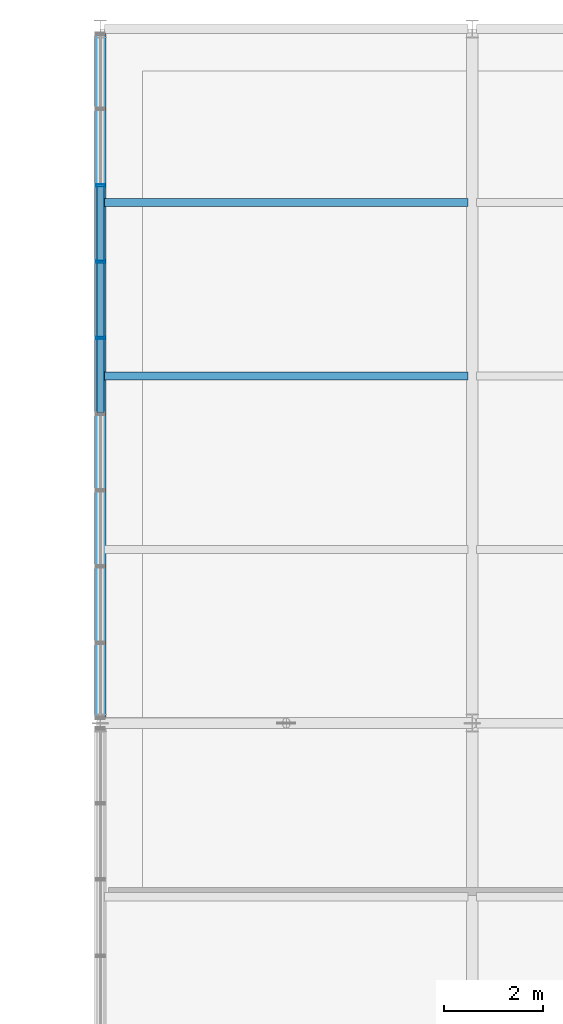
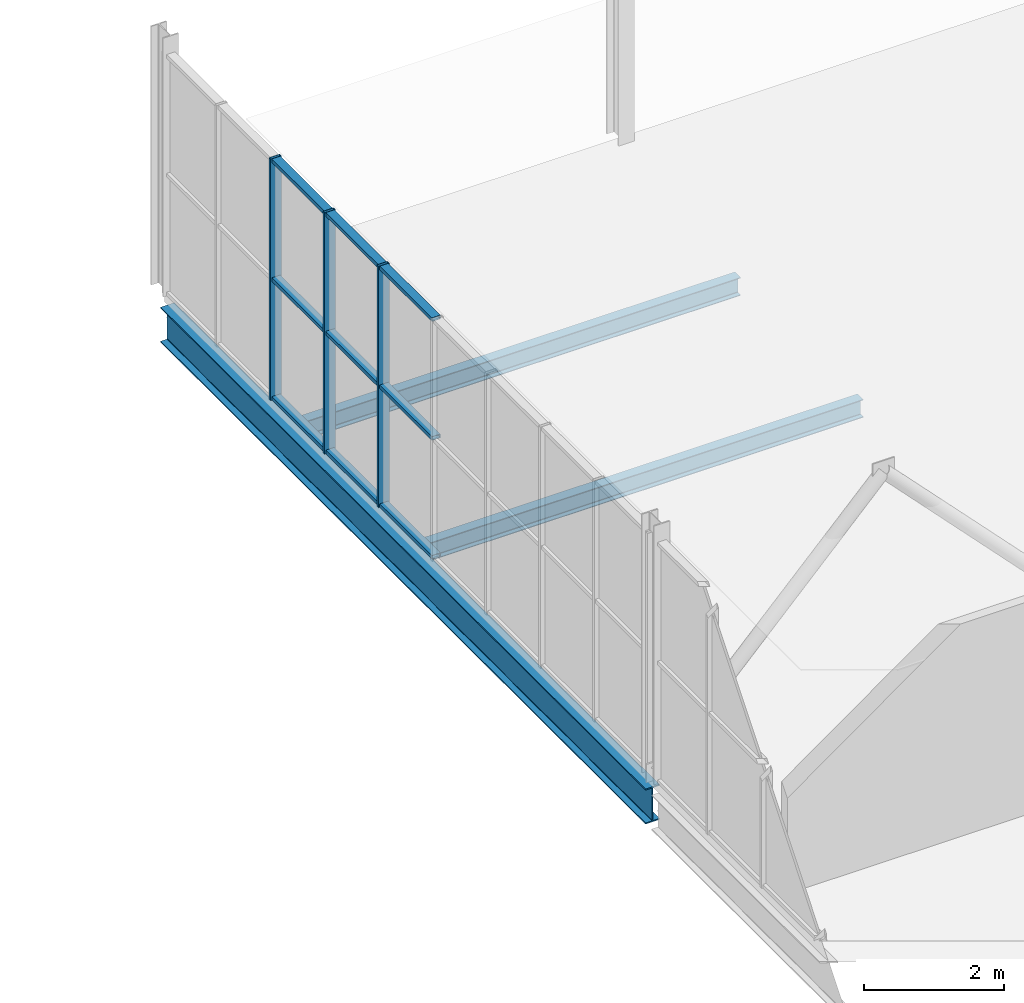
# One storey, part 41 of 104: 12 members, 3 beams, 1 element without a shape of its own.
"""IFC4 building model written with IfcOpenShell, lengths in metres."""

import ifcopenshell
import ifcopenshell.guid

model = None  # the IFC model being written
_history = None  # IfcOwnerHistory: only IFC2X3 demands one
_inside = {}  # id of a spatial element -> (the spatial element, [elements in it])
_under = {}  # id of a project, library or spatial element -> (it, [spatial elements below it])
_declared = {}  # id of a project -> (the project, [libraries it declares])
_typed = {}  # id of a type object -> (the type object, [elements of that type])
_made_of = {}  # id of a material, layer set ... -> (it, [elements and type objects made of it])


def new_model(schema):
    """Start an empty IFC model of exactly this schema.

    Asked for "IFC4X3", IfcOpenShell would pick the latest addendum, in which some entities
    have other attributes; the version numbers below select the first issue.
    IFC2X3 requires an IfcOwnerHistory on every rooted entity: one is made here for all.
    """
    global model, _history
    if schema == "IFC4X3":
        model = ifcopenshell.file(schema_version=(4, 3, 0, 0))
    else:
        model = ifcopenshell.file(schema=schema)
    _inside.clear()
    _under.clear()
    _declared.clear()
    _typed.clear()
    _made_of.clear()
    _history = None
    if model.schema == "IFC2X3":
        org = make("IfcOrganization", Name="unknown")
        user = make(
            "IfcPersonAndOrganization",
            ThePerson=make("IfcPerson", FamilyName="unknown"),
            TheOrganization=org,
        )
        app = make(
            "IfcApplication",
            ApplicationDeveloper=org,
            Version="unknown",
            ApplicationFullName="unknown",
            ApplicationIdentifier="unknown",
        )
        _history = make(
            "IfcOwnerHistory",
            OwningUser=user,
            OwningApplication=app,
            ChangeAction="ADDED",
            CreationDate=0,
        )
    return model


def make(cls, **values):
    """One entity of the class cls with the attributes given. An attribute that is None is left unset."""
    return model.create_entity(
        cls, **{name: value for name, value in values.items() if value is not None}
    )


def rooted(cls, **values):
    """An entity with a GlobalId (a new one), such as an element, a storey or a relation."""
    return make(cls, GlobalId=ifcopenshell.guid.new(), OwnerHistory=_history, **values)


def si_unit(unit_type, name, prefix=None):
    """IfcSIUnit, for example si_unit("LENGTHUNIT", "METRE", prefix="MILLI")."""
    return make("IfcSIUnit", UnitType=unit_type, Prefix=prefix, Name=name)


def assignment(units):
    """IfcUnitAssignment: the units of a project."""
    return None if units is None else make("IfcUnitAssignment", Units=units)


def point(xyz):
    """IfcCartesianPoint."""
    return None if xyz is None else make("IfcCartesianPoint", Coordinates=xyz)


def direction(xyz):
    """IfcDirection."""
    return None if xyz is None else make("IfcDirection", DirectionRatios=xyz)


def frame(location, z_axis=None, x_axis=None):
    """IfcAxis2Placement3D, a coordinate frame: its origin and axes. An axis left out is left unset."""
    return make(
        "IfcAxis2Placement3D",
        Location=point(location),
        Axis=direction(z_axis),
        RefDirection=direction(x_axis),
    )


def frame_2d(location, x_axis=None):
    """IfcAxis2Placement2D, a coordinate frame in the plane: its origin and x axis."""
    return make(
        "IfcAxis2Placement2D", Location=point(location), RefDirection=direction(x_axis)
    )


def origin():
    """The frame at (0, 0, 0) with its axes left unset."""
    return frame((0.0, 0.0, 0.0))


def origin_2d():
    """The frame at (0, 0) in the plane with its x axis left unset."""
    return frame_2d((0.0, 0.0))


def place(relative_to, where):
    """IfcLocalPlacement: puts the frame where relative to a parent placement (None: the world)."""
    return make(
        "IfcLocalPlacement", PlacementRelTo=relative_to, RelativePlacement=where
    )


def context(
    kind, dimensions, precision=None, world=None, true_north=None, identifier=None
):
    """IfcGeometricRepresentationContext, for example the 3D "Model" context."""
    return make(
        "IfcGeometricRepresentationContext",
        ContextIdentifier=identifier,
        ContextType=kind,
        CoordinateSpaceDimension=dimensions,
        Precision=precision,
        WorldCoordinateSystem=world,
        TrueNorth=true_north,
    )


def subcontext(parent, identifier, kind, view, scale=None):
    """IfcGeometricRepresentationSubContext, for example "Body" below "Model"."""
    return make(
        "IfcGeometricRepresentationSubContext",
        ContextIdentifier=identifier,
        ContextType=kind,
        ParentContext=parent,
        TargetScale=scale,
        TargetView=view,
    )


def project(units=None, contexts=None):
    """IfcProject with its units and contexts."""
    return rooted(
        "IfcProject",
        Name="project",
        RepresentationContexts=contexts,
        UnitsInContext=assignment(units),
    )


def spatial(cls, under=None, at=None, **own):
    """A site, building, storey or space (cls), placed at a placement, below another one or the project."""
    s = rooted(cls, ObjectPlacement=at, **own)
    if under is not None:
        _under.setdefault(under.id(), (under, []))[1].append(s)
    return s


def profile(cls, at=None, kind="AREA", **sizes):
    """A parametric profile (cls). Its sizes go by their IFC names, for example OverallWidth=200.0."""
    return make(cls, ProfileType=kind, Position=at, **sizes)


def hollow_rectangle(**sizes):
    """IfcRectangleHollowProfileDef."""
    return profile("IfcRectangleHollowProfileDef", **sizes)


def i_section(**sizes):
    """IfcIShapeProfileDef."""
    return profile("IfcIShapeProfileDef", **sizes)


def extrude(swept, where, along, depth):
    """IfcExtrudedAreaSolid: the profile swept, set in the frame where, extruded along a direction by depth."""
    return make(
        "IfcExtrudedAreaSolid",
        SweptArea=swept,
        Position=where,
        ExtrudedDirection=direction(along),
        Depth=depth,
    )


def shape(context_of_items, identifier, shape_type, items):
    """IfcShapeRepresentation: the items that make up one representation, for example the "Body"."""
    return make(
        "IfcShapeRepresentation",
        ContextOfItems=context_of_items,
        RepresentationIdentifier=identifier,
        RepresentationType=shape_type,
        Items=items,
    )


def material(Name=None, Category=None):
    """IfcMaterial."""
    return make("IfcMaterial", Name=Name, Category=Category)


def layer(
    of_material, thickness, ventilated=None, Name=None, Category=None, Priority=None
):
    """IfcMaterialLayer: one layer of a wall or slab, of a material (None: an air gap)."""
    return make(
        "IfcMaterialLayer",
        Material=of_material,
        LayerThickness=thickness,
        IsVentilated=ventilated,
        Name=Name,
        Category=Category,
        Priority=Priority,
    )


def layer_set(layers, Name=None):
    """IfcMaterialLayerSet."""
    return make("IfcMaterialLayerSet", MaterialLayers=layers, LayerSetName=Name)


def material_profile(
    of_material, cross_section, Name=None, Category=None, Priority=None
):
    """IfcMaterialProfile: a cross section and its material."""
    return make(
        "IfcMaterialProfile",
        Name=Name,
        Material=of_material,
        Profile=cross_section,
        Priority=Priority,
        Category=Category,
    )


def profile_set(profiles, Name=None, composite=None):
    """IfcMaterialProfileSet."""
    return make(
        "IfcMaterialProfileSet",
        Name=Name,
        MaterialProfiles=profiles,
        CompositeProfile=composite,
    )


def made_of(thing, what):
    """Note that an element or type object is made of a material, layer set ...; save() writes the relation."""
    if what is not None:
        _made_of.setdefault(what.id(), (what, []))[1].append(thing)
    return thing


def type_object(cls, material=None, **own):
    """A type object (cls), such as IfcWallType, which elements share."""
    return made_of(rooted(cls, **own), material)


def element(
    cls,
    number,
    at=None,
    inside=None,
    cuts=None,
    type_object=None,
    material=None,
    context=None,
    identifier="Body",
    shape_type=None,
    held_by="IfcProductDefinitionShape",
    body=None,
    shapes=None,
    **own,
):
    """One element of the class cls, such as IfcWall. Its Tag is "e" and its number.

    at: its placement. inside: the storey or other place that contains it. cuts: it is an
    opening in that element (IfcRelVoidsElement). A single representation is given by context,
    identifier, shape_type and body (its items); several are given by shapes. held_by: the class
    of the entity that holds the representations. save() writes the other relations.
    """
    e = rooted(cls, Tag="e%d" % number, ObjectPlacement=at, **own)
    if body is not None:
        shapes = [shape(context, identifier, shape_type, body)]
    if shapes is not None:
        e.Representation = make(held_by, Representations=shapes)
    if inside is not None:
        _inside.setdefault(inside.id(), (inside, []))[1].append(e)
    if cuts is not None:
        rooted(
            "IfcRelVoidsElement", RelatingBuildingElement=cuts, RelatedOpeningElement=e
        )
    if type_object is not None:
        _typed.setdefault(type_object.id(), (type_object, []))[1].append(e)
    return made_of(e, material)


def aggregate(whole, parts):
    """IfcRelAggregates: a whole, such as a stair, and the parts it consists of."""
    return rooted("IfcRelAggregates", RelatingObject=whole, RelatedObjects=parts)


def save(model, path):
    """Write the relations noted so far, then the file.

    IfcRelAggregates (storeys below a building ...), IfcRelContainedInSpatialStructure (elements
    in a storey), IfcRelDefinesByType, IfcRelAssociatesMaterial and IfcRelDeclares: one each for
    every whole, place, type object, material and project.
    """
    for whole, parts in _under.values():
        aggregate(whole, parts)
    for where, things in _inside.values():
        rooted(
            "IfcRelContainedInSpatialStructure",
            RelatedElements=things,
            RelatingStructure=where,
        )
    for kind, things in _typed.values():
        rooted("IfcRelDefinesByType", RelatedObjects=things, RelatingType=kind)
    for what, things in _made_of.values():
        rooted("IfcRelAssociatesMaterial", RelatedObjects=things, RelatingMaterial=what)
    for by, libraries in _declared.values():
        rooted("IfcRelDeclares", RelatingContext=by, RelatedDefinitions=libraries)
    model.write(path)


model = new_model("IFC4")

# Units and contexts
model_context = context("Model", 3, precision=1e-05, world=origin(), true_north=direction((0.0, 1.0)))
body_context = subcontext(model_context, "Body", "Model", "MODEL_VIEW")
ifc_project = project(units=[si_unit("LENGTHUNIT", "METRE"), si_unit("AREAUNIT", "SQUARE_METRE"), si_unit("VOLUMEUNIT", "CUBIC_METRE"), si_unit("PLANEANGLEUNIT", "RADIAN"), si_unit("MASSUNIT", "GRAM", prefix="KILO")], contexts=[model_context])

# Site, building, storey
site_placement = place(None, origin())
site = spatial("IfcSite", under=ifc_project, at=site_placement, CompositionType="ELEMENT")
building_placement = place(site_placement, origin())
building = spatial("IfcBuilding", under=site, at=building_placement, Name="Solvenia Promenade Tram Depot", CompositionType="ELEMENT")
storey_placement = place(building_placement, frame((0.0, 0.0, 9.0)))
storey = spatial("IfcBuildingStorey", under=building, at=storey_placement, Name="L02", CompositionType="ELEMENT", Elevation=9.0)

# Curtain wall, members
ifc_material_1 = material(Name="Anodized aluminium AW-6063 T6", Category="aluminium")
ifc_layer = layer(ifc_material_1, 0.14990234375, Name="Anodized aluminium AW-6063 T6", Category="aluminium")
ifc_layer_set = layer_set([ifc_layer], Name="Anodized aluminium AW-6063 T6")
curtain_wall_type = type_object("IfcCurtainWallType", Name="CW-Court-1500", PredefinedType="NOTDEFINED", material=ifc_layer_set)
curtain_wall_placement = place(storey_placement, origin())
curtain_wall = element("IfcCurtainWall", 1, at=curtain_wall_placement, inside=storey, type_object=curtain_wall_type, Name="Curtain Wall CW-V2W-L2-2", PredefinedType="NOTDEFINED")
ifc_material_profile_1 = material_profile(ifc_material_1, hollow_rectangle(XDim=0.179931640625, YDim=0.050048828125, WallThickness=0.00390625, at=origin_2d()), Name="ALU-M2", Category="aluminium")
ifc_profile_set_1 = profile_set([ifc_material_profile_1], Name="Anodized aluminium AW-6063 T6")
member_type_1 = type_object("IfcMemberType", Name="CWM-Mullion-2", PredefinedType="MULLION", material=ifc_profile_set_1)
member_1_placement = place(storey_placement, frame((105.0, 59.768798828125, 0.0), z_axis=(0.0, 0.0, 1.0), x_axis=(-1.0, 0.0, 0.0)))
member_1 = element("IfcMember", 2, at=member_1_placement, type_object=member_type_1, Name="CW-5 mullion 6", PredefinedType="MULLION", context=body_context, shape_type="SweptSolid", body=[
    extrude(hollow_rectangle(XDim=0.179931640625, YDim=0.050048828125, WallThickness=0.00390625, at=origin_2d()), origin(), (0.0, 0.0, 1.0), 4.199951171875),
])
member_2_placement = place(storey_placement, frame((105.0, 61.306640625, 0.0), z_axis=(0.0, 0.0, 1.0), x_axis=(-1.0, 0.0, 0.0)))
member_2 = element("IfcMember", 3, at=member_2_placement, type_object=member_type_1, Name="CW-5 mullion 7", PredefinedType="MULLION", context=body_context, shape_type="SweptSolid", body=[
    extrude(hollow_rectangle(XDim=0.179931640625, YDim=0.050048828125, WallThickness=0.00390625, at=origin_2d()), origin(), (0.0, 0.0, 1.0), 4.199951171875),
])
member_3_placement = place(storey_placement, frame((105.0, 62.844482421875, 0.0), z_axis=(0.0, 0.0, 1.0), x_axis=(-1.0, 0.0, 0.0)))
member_3 = element("IfcMember", 4, at=member_3_placement, type_object=member_type_1, Name="CW-5 mullion 8", PredefinedType="MULLION", context=body_context, shape_type="SweptSolid", body=[
    extrude(hollow_rectangle(XDim=0.179931640625, YDim=0.050048828125, WallThickness=0.00390625, at=origin_2d()), origin(), (0.0, 0.0, 1.0), 4.199951171875),
])
ifc_material_profile_2 = material_profile(ifc_material_1, hollow_rectangle(XDim=0.139892578125, YDim=0.06494140625, WallThickness=0.00390625, at=origin_2d()), Name="ALU-T2", Category="aluminium")
ifc_profile_set_2 = profile_set([ifc_material_profile_2], Name="Anodized aluminium AW-6063 T6")
member_type_2 = type_object("IfcMemberType", Name="CWT-Transom-2", PredefinedType="USERDEFINED", material=ifc_profile_set_2)
member_4_placement = place(storey_placement, frame((105.0, 58.256103515625, 0.032470703125), z_axis=(0.0, 1.0, 0.0), x_axis=(-1.0, 0.0, 0.0)))
member_4 = element("IfcMember", 5, at=member_4_placement, type_object=member_type_2, Name="CW-5 transom 5.1", ObjectType="TRANSOM", PredefinedType="USERDEFINED", context=body_context, shape_type="SweptSolid", body=[
    extrude(hollow_rectangle(XDim=0.139892578125, YDim=0.06494140625, WallThickness=0.00390625, at=origin_2d()), origin(), (0.0, 0.0, 1.0), 1.48779296875),
])
member_5_placement = place(storey_placement, frame((105.0, 58.256103515625, 2.10009765625), z_axis=(0.0, 1.0, 0.0), x_axis=(-1.0, 0.0, 0.0)))
member_5 = element("IfcMember", 6, at=member_5_placement, type_object=member_type_2, Name="CW-5 transom 5.2", ObjectType="TRANSOM", PredefinedType="USERDEFINED", context=body_context, shape_type="SweptSolid", body=[
    extrude(hollow_rectangle(XDim=0.139892578125, YDim=0.06494140625, WallThickness=0.00390625, at=origin_2d()), origin(), (0.0, 0.0, 1.0), 1.48779296875),
])
member_6_placement = place(storey_placement, frame((105.0, 58.256103515625, 4.16748046875), z_axis=(0.0, 1.0, 0.0), x_axis=(-1.0, 0.0, 0.0)))
member_6 = element("IfcMember", 7, at=member_6_placement, type_object=member_type_2, Name="CW-5 transom 5.3", ObjectType="TRANSOM", PredefinedType="USERDEFINED", context=body_context, shape_type="SweptSolid", body=[
    extrude(hollow_rectangle(XDim=0.139892578125, YDim=0.06494140625, WallThickness=0.00390625, at=origin_2d()), origin(), (0.0, 0.0, 1.0), 1.48779296875),
])
member_7_placement = place(storey_placement, frame((105.0, 59.7939453125, 0.032470703125), z_axis=(0.0, 1.0, 0.0), x_axis=(-1.0, 0.0, 0.0)))
member_7 = element("IfcMember", 8, at=member_7_placement, type_object=member_type_2, Name="CW-5 transom 6.1", ObjectType="TRANSOM", PredefinedType="USERDEFINED", context=body_context, shape_type="SweptSolid", body=[
    extrude(hollow_rectangle(XDim=0.139892578125, YDim=0.06494140625, WallThickness=0.00390625, at=origin_2d()), origin(), (0.0, 0.0, 1.0), 1.48779296875),
])
member_8_placement = place(storey_placement, frame((105.0, 59.7939453125, 2.10009765625), z_axis=(0.0, 1.0, 0.0), x_axis=(-1.0, 0.0, 0.0)))
member_8 = element("IfcMember", 9, at=member_8_placement, type_object=member_type_2, Name="CW-5 transom 6.2", ObjectType="TRANSOM", PredefinedType="USERDEFINED", context=body_context, shape_type="SweptSolid", body=[
    extrude(hollow_rectangle(XDim=0.139892578125, YDim=0.06494140625, WallThickness=0.00390625, at=origin_2d()), origin(), (0.0, 0.0, 1.0), 1.48779296875),
])
member_9_placement = place(storey_placement, frame((105.0, 59.7939453125, 4.16748046875), z_axis=(0.0, 1.0, 0.0), x_axis=(-1.0, 0.0, 0.0)))
member_9 = element("IfcMember", 10, at=member_9_placement, type_object=member_type_2, Name="CW-5 transom 6.3", ObjectType="TRANSOM", PredefinedType="USERDEFINED", context=body_context, shape_type="SweptSolid", body=[
    extrude(hollow_rectangle(XDim=0.139892578125, YDim=0.06494140625, WallThickness=0.00390625, at=origin_2d()), origin(), (0.0, 0.0, 1.0), 1.48779296875),
])
member_10_placement = place(storey_placement, frame((105.0, 61.331787109375, 0.032470703125), z_axis=(0.0, 1.0, 0.0), x_axis=(-1.0, 0.0, 0.0)))
member_10 = element("IfcMember", 11, at=member_10_placement, type_object=member_type_2, Name="CW-5 transom 7.1", ObjectType="TRANSOM", PredefinedType="USERDEFINED", context=body_context, shape_type="SweptSolid", body=[
    extrude(hollow_rectangle(XDim=0.139892578125, YDim=0.06494140625, WallThickness=0.00390625, at=origin_2d()), origin(), (0.0, 0.0, 1.0), 1.487548828125),
])
member_11_placement = place(storey_placement, frame((105.0, 61.331787109375, 2.10009765625), z_axis=(0.0, 1.0, 0.0), x_axis=(-1.0, 0.0, 0.0)))
member_11 = element("IfcMember", 12, at=member_11_placement, type_object=member_type_2, Name="CW-5 transom 7.2", ObjectType="TRANSOM", PredefinedType="USERDEFINED", context=body_context, shape_type="SweptSolid", body=[
    extrude(hollow_rectangle(XDim=0.139892578125, YDim=0.06494140625, WallThickness=0.00390625, at=origin_2d()), origin(), (0.0, 0.0, 1.0), 1.487548828125),
])
member_12_placement = place(storey_placement, frame((105.0, 61.331787109375, 4.16748046875), z_axis=(0.0, 1.0, 0.0), x_axis=(-1.0, 0.0, 0.0)))
member_12 = element("IfcMember", 13, at=member_12_placement, type_object=member_type_2, Name="CW-5 transom 7.3", ObjectType="TRANSOM", PredefinedType="USERDEFINED", context=body_context, shape_type="SweptSolid", body=[
    extrude(hollow_rectangle(XDim=0.139892578125, YDim=0.06494140625, WallThickness=0.00390625, at=origin_2d()), origin(), (0.0, 0.0, 1.0), 1.487548828125),
])
aggregate(curtain_wall, [member_1, member_2, member_3, member_4, member_5, member_6, member_7, member_8, member_9, member_10, member_11, member_12])

# Beams
ifc_material_2 = material(Name="Structural steel ASTM A992 Gr. 50", Category="steel")
ifc_material_profile_3 = material_profile(ifc_material_2, i_section(OverallWidth=0.22900390625, OverallDepth=0.612060546875, WebThickness=0.011962890625, FlangeThickness=0.01953125, FilletRadius=0.014892578125, at=origin_2d()), Name="W610x125", Category="steel")
ifc_profile_set_3 = profile_set([ifc_material_profile_3], Name="Structural steel ASTM A992 Gr. 50")
beam_type_1 = type_object("IfcBeamType", Name="Gird-W610x125", PredefinedType="BEAM", material=ifc_profile_set_3)
beam_placement = place(storey_placement, frame((105.0, 52.0849609375, -0.5458984375), z_axis=(0.0, 1.0, 0.0), x_axis=(-1.0, 0.0, 0.0)))
element("IfcBeam", 14, at=beam_placement, inside=storey, type_object=beam_type_1, Name="Transverse Girder BM-L02-0470", PredefinedType="BEAM", context=body_context, shape_type="SweptSolid", body=[
    extrude(i_section(OverallWidth=0.22900390625, OverallDepth=0.612060546875, WebThickness=0.011962890625, FlangeThickness=0.01953125, FilletRadius=0.014892578125, at=origin_2d()), origin(), (0.0, 0.0, 1.0), 13.830078125),
])
ifc_material_profile_4 = material_profile(ifc_material_2, i_section(OverallWidth=0.166015625, OverallDepth=0.31298828125, WebThickness=0.006591796875, FlangeThickness=0.01123046875, FilletRadius=0.010009765625, at=origin_2d()), Name="W310x45", Category="steel")
ifc_profile_set_4 = profile_set([ifc_material_profile_4], Name="Structural steel ASTM A992 Gr. 50")
beam_type_2 = type_object("IfcBeamType", Name="Joist-W310x45", PredefinedType="JOIST", material=ifc_profile_set_4)
for number, where, z_axis, x_axis, name in (
    (15, (105.0849609375, 59.0, -0.396484375), (1.0, 0.0, 0.0), (0.0, 1.0, 0.0), "Secondary Floor Joist BM-L02-0487"),
    (16, (105.0849609375, 62.5, -0.396484375), (1.0, 0.0, 0.0), (0.0, 1.0, 0.0), "Secondary Floor Joist BM-L02-0488"),
):
    element("IfcBeam", number, at=place(storey_placement, frame(where, z_axis=z_axis, x_axis=x_axis)), inside=storey, type_object=beam_type_2, Name=name, PredefinedType="JOIST", context=body_context, shape_type="SweptSolid", body=[
        extrude(i_section(OverallWidth=0.166015625, OverallDepth=0.31298828125, WebThickness=0.006591796875, FlangeThickness=0.01123046875, FilletRadius=0.010009765625, at=origin_2d()), origin(), (0.0, 0.0, 1.0), 7.330078125),
    ])

save(model, "model.ifc")
